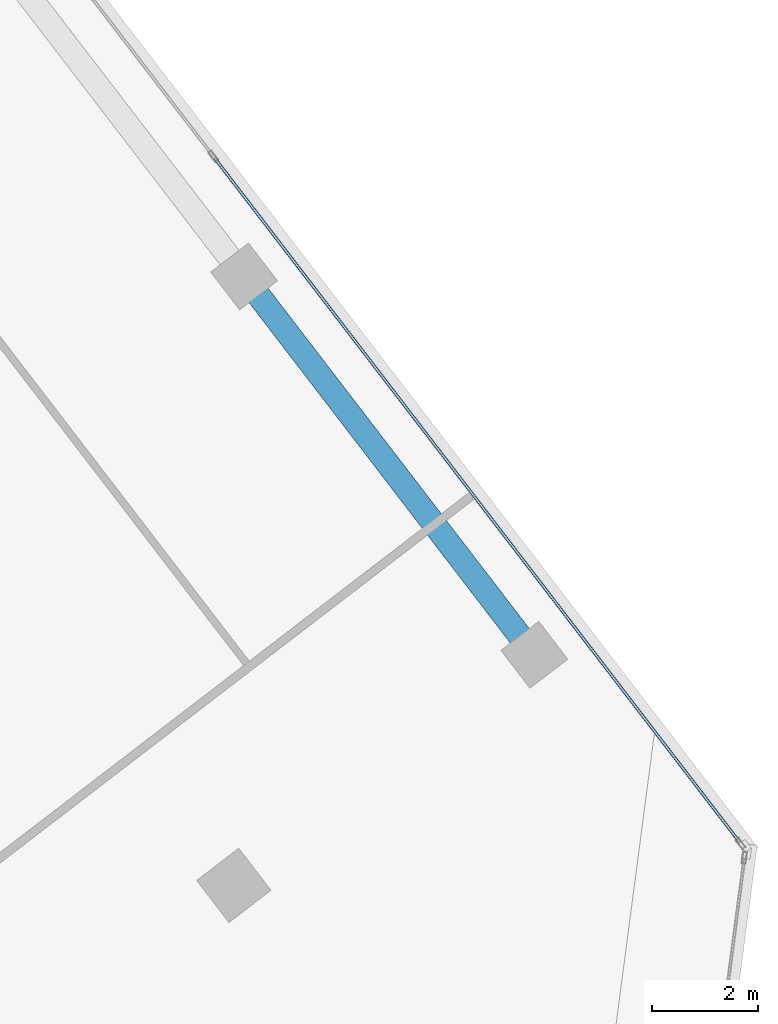
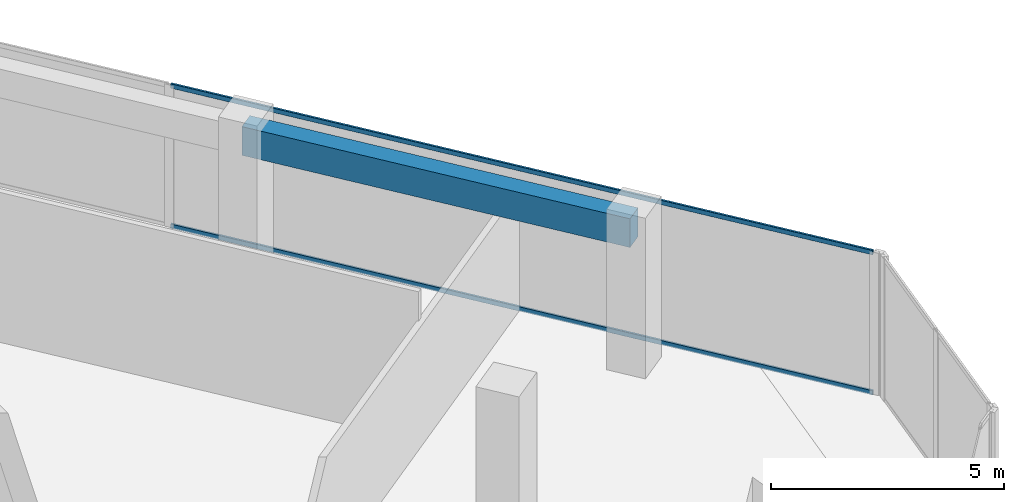
# One storey, part 7 of 17: 2 members, 1 beam, 1 element without a shape of its own.
"""IFC4 building model written with IfcOpenShell, lengths in metres."""

from ifc_helpers import new_model, si_unit, direction, frame, origin, origin_2d, place, context, subcontext, project, spatial, rectangle, hollow_rectangle, extrude, source, transform, mapped, material, material_profile, profile_set, type_object, element, aggregate, save


model = new_model("IFC4")

# Units and contexts
model_context = context("Model", 3, precision=1e-05, world=origin(), true_north=direction((0.0, 1.0)))
body_context = subcontext(model_context, "Body", "Model", "MODEL_VIEW")
ifc_project = project(units=[si_unit("LENGTHUNIT", "METRE"), si_unit("AREAUNIT", "SQUARE_METRE"), si_unit("VOLUMEUNIT", "CUBIC_METRE"), si_unit("PLANEANGLEUNIT", "RADIAN"), si_unit("MASSUNIT", "GRAM", prefix="KILO")], contexts=[model_context])

# Site, building, storey
site_placement = place(None, origin())
site = spatial("IfcSite", under=ifc_project, at=site_placement, CompositionType="ELEMENT")
building_placement = place(site_placement, origin())
building = spatial("IfcBuilding", under=site, at=building_placement, Name="Torre Montelarca", CompositionType="ELEMENT")
storey_placement = place(building_placement, frame((0.0, 0.0, 283.60009765625)))
storey = spatial("IfcBuildingStorey", under=building, at=storey_placement, Name="L64", CompositionType="ELEMENT", Elevation=283.60009765625)

# Beam
ifc_material_1 = material(Name="Concrete C55/67", Category="concrete")
ifc_material_profile_1 = material_profile(ifc_material_1, rectangle(XDim=0.449951171875, YDim=0.75, at=origin_2d()), Name="RCB450X750", Category="concrete")
ifc_profile_set_1 = profile_set([ifc_material_profile_1], Name="Concrete C55/67")
beam_type = type_object("IfcBeamType", Name="BM-SP-RC750-EXT", PredefinedType="SPANDREL", material=ifc_profile_set_1)
shared_shape_1 = source(origin(), body_context, "Body", "SweptSolid", [
    extrude(rectangle(XDim=0.449951171875, YDim=0.75, at=origin_2d()), origin(), (0.0, 0.0, 1.0), 9.0),
])
beam_placement = place(storey_placement, frame((36.867431640625, 36.859375, 3.544921875), z_axis=(0.608744143222, -0.793366603842, 0.0), x_axis=(0.793366603842, 0.608744143222, 0.0)))
element("IfcBeam", 1, at=beam_placement, inside=storey, type_object=beam_type, Name="L64 Grid Girder X 27.0-36.0 at Y=47.1", PredefinedType="SPANDREL", context=body_context, shape_type="MappedRepresentation", body=[
    mapped(shared_shape_1, transform((0.0, 0.0, 0.0), scale=1.0)),
])

# Curtain wall, members
ifc_material_2 = material(Name="Insulated low-E laminated glass", Category="glass")
curtain_wall_type = type_object("IfcCurtainWallType", Name="CW-SYS-Z3", PredefinedType="USERDEFINED", material=ifc_material_2)
curtain_wall_placement = place(storey_placement, origin())
curtain_wall = element("IfcCurtainWall", 2, at=curtain_wall_placement, inside=storey, type_object=curtain_wall_type, Name="L64 Curtain Wall Run CW-T3-L64-E08-B1", ObjectType="UNITISED GLAZING", PredefinedType="USERDEFINED")
ifc_material_3 = material(Name="Anodised aluminium AA 6063-T6", Category="aluminium")
ifc_material_profile_2 = material_profile(ifc_material_3, hollow_rectangle(XDim=0.054931640625, YDim=0.1201171875, WallThickness=0.00341796875, InnerFilletRadius=0.00341796875, OuterFilletRadius=0.007080078125, at=origin_2d()), Name="ALU55X120X3.5", Category="aluminium")
ifc_profile_set_2 = profile_set([ifc_material_profile_2], Name="Anodised aluminium AA 6063-T6")
member_type = type_object("IfcMemberType", Name="CWT-ALU120", PredefinedType="USERDEFINED", material=ifc_profile_set_2)
shared_shape_2 = source(origin(), body_context, "Body", "SweptSolid", [
    extrude(hollow_rectangle(XDim=0.054931640625, YDim=0.1201171875, WallThickness=0.00341796875, InnerFilletRadius=0.00341796875, OuterFilletRadius=0.007080078125, at=origin_2d()), origin(), (0.0, 0.0, 1.0), 16.271728515625),
])
member_1_placement = place(storey_placement, frame((46.217041015625, 26.18603515625, 0.02734375), z_axis=(-0.608769155588, 0.793347411418, 0.0), x_axis=(-0.793347411418, -0.608769155588, 0.0)))
member_1 = element("IfcMember", 3, at=member_1_placement, type_object=member_type, Name="CW transom 1.1", ObjectType="TRANSOM", PredefinedType="USERDEFINED", context=body_context, shape_type="MappedRepresentation", body=[
    mapped(shared_shape_2, transform((0.0, 0.0, 0.0), scale=1.0)),
])
member_2_placement = place(storey_placement, frame((46.217041015625, 26.18603515625, 3.6923828125), z_axis=(-0.608769155588, 0.793347411418, 0.0), x_axis=(-0.793347411418, -0.608769155588, 0.0)))
member_2 = element("IfcMember", 4, at=member_2_placement, type_object=member_type, Name="CW transom 1.2", ObjectType="TRANSOM", PredefinedType="USERDEFINED", context=body_context, shape_type="MappedRepresentation", body=[
    mapped(shared_shape_2, transform((0.0, 0.0, 0.0), scale=1.0)),
])
aggregate(curtain_wall, [member_1, member_2])

save(model, "model.ifc")
